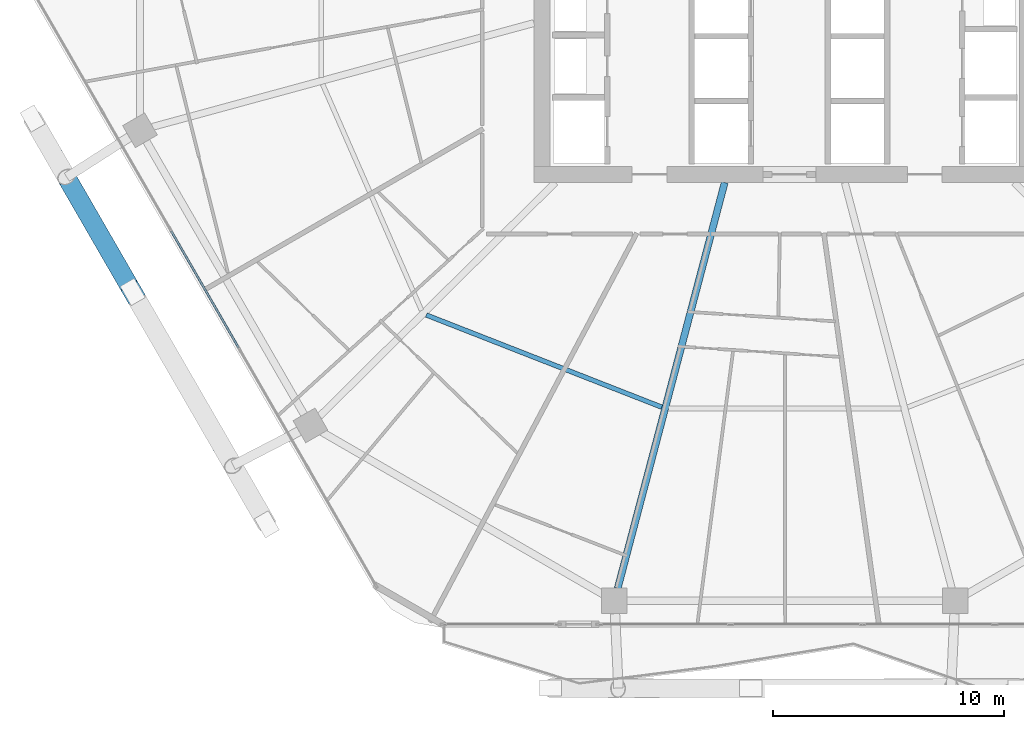
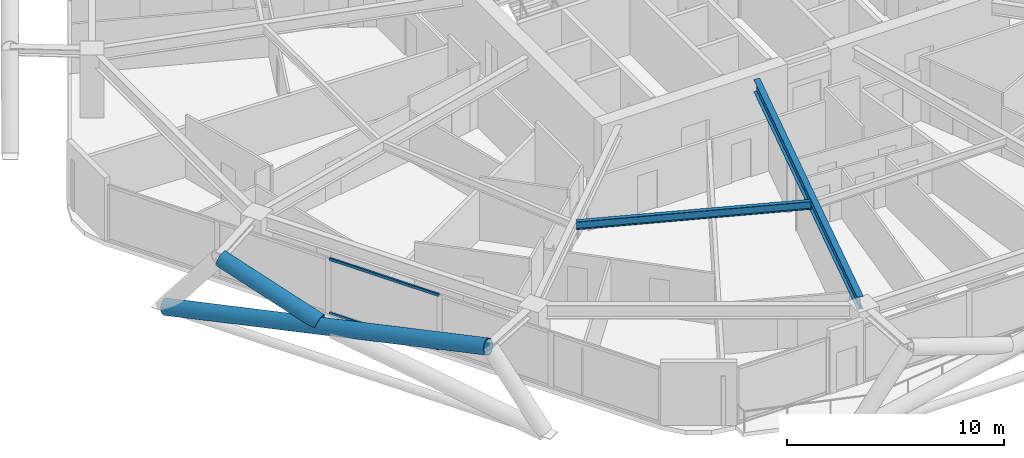
# One storey, part 5 of 35: 4 members, 2 beams, 1 element without a shape of its own.
"""IFC4 building model written with IfcOpenShell, lengths in metres."""

from ifc_helpers import new_model, si_unit, direction, frame, origin, origin_2d, place, context, subcontext, project, spatial, hollow_rectangle, hollow_circle, i_section, extrude, material, material_profile, profile_set, type_object, element, aggregate, save


model = new_model("IFC4")

# Units and contexts
model_context = context("Model", 3, precision=1e-05, world=origin(), true_north=direction((0.0, 1.0)))
body_context = subcontext(model_context, "Body", "Model", "MODEL_VIEW")
ifc_project = project(units=[si_unit("LENGTHUNIT", "METRE"), si_unit("AREAUNIT", "SQUARE_METRE"), si_unit("VOLUMEUNIT", "CUBIC_METRE"), si_unit("PLANEANGLEUNIT", "RADIAN"), si_unit("MASSUNIT", "GRAM", prefix="KILO")], contexts=[model_context])

# Site, building, storey
site_placement = place(None, origin())
site = spatial("IfcSite", under=ifc_project, at=site_placement, CompositionType="ELEMENT")
building_placement = place(site_placement, origin())
building = spatial("IfcBuilding", under=site, at=building_placement, Name="Zuhravey Tower", CompositionType="ELEMENT")
storey_placement = place(building_placement, frame((0.0, 0.0, 138.0)))
storey = spatial("IfcBuildingStorey", under=building, at=storey_placement, Name="L34", CompositionType="ELEMENT", Elevation=138.0)

# Curtain wall, members
ifc_material_1 = material(Name="Thermally broken anodised aluminium", Category="aluminium")
curtain_wall_type = type_object("IfcCurtainWallType", Name="Zone 1-2 Residential Curtain Wall CW3", PredefinedType="NOTDEFINED", material=ifc_material_1)
curtain_wall_placement = place(storey_placement, origin())
curtain_wall = element("IfcCurtainWall", 1, at=curtain_wall_placement, inside=storey, type_object=curtain_wall_type, Name="L34 CW3 CW-L34-F4-1", PredefinedType="NOTDEFINED")
ifc_material_2 = material(Name="Anodised aluminium", Category="aluminium")
ifc_material_profile_1 = material_profile(ifc_material_2, hollow_rectangle(XDim=0.090087890625, YDim=0.14990234375, WallThickness=0.0048828125, at=origin_2d()), Name="ALU-RHS-90x150x5")
ifc_profile_set_1 = profile_set([ifc_material_profile_1], Name="Anodised aluminium")
member_type_1 = type_object("IfcMemberType", Name="Curtain-Wall Transom 90x150", PredefinedType="USERDEFINED", material=ifc_profile_set_1)
member_1_placement = place(storey_placement, frame((12.378662109375, 14.996337890625, 0.044921875), z_axis=(-0.499981042766, 0.866036348472, 0.0), x_axis=(-0.866036348472, -0.499981042766, 0.0)))
member_1 = element("IfcMember", 2, at=member_1_placement, type_object=member_type_1, Name="CW3 transom 3.1", ObjectType="TRANSOM", PredefinedType="USERDEFINED", context=body_context, shape_type="SweptSolid", body=[
    extrude(hollow_rectangle(XDim=0.090087890625, YDim=0.14990234375, WallThickness=0.0048828125, at=origin_2d()), origin(), (0.0, 0.0, 1.0), 5.829833984375),
])
member_2_placement = place(storey_placement, frame((12.378662109375, 14.996337890625, 3.076904296875), z_axis=(-0.499981042766, 0.866036348472, 0.0), x_axis=(-0.866036348472, -0.499981042766, 0.0)))
member_2 = element("IfcMember", 3, at=member_2_placement, type_object=member_type_1, Name="CW3 transom 3.2", ObjectType="TRANSOM", PredefinedType="USERDEFINED", context=body_context, shape_type="SweptSolid", body=[
    extrude(hollow_rectangle(XDim=0.090087890625, YDim=0.14990234375, WallThickness=0.0048828125, at=origin_2d()), origin(), (0.0, 0.0, 1.0), 5.829833984375),
])
aggregate(curtain_wall, [member_1, member_2])

# Members
ifc_material_3 = material(Name="Steel SM460", Category="steel")
ifc_material_profile_2 = material_profile(ifc_material_3, hollow_circle(Radius=0.406494140625, WallThickness=0.035888671875, at=origin_2d()), Name="CHS-812.8x36")
ifc_profile_set_2 = profile_set([ifc_material_profile_2], Name="Steel SM460")
member_type_2 = type_object("IfcMemberType", Name="Exoskeleton Zone 1 Diagrid CHS813x36", PredefinedType="BRACE", material=ifc_profile_set_2)
member_3_placement = place(storey_placement, frame((3.49853515625, 24.857421875, -0.4482421875), z_axis=(0.488388327562, -0.845934815046, 0.214175465901), x_axis=(0.866030885405, 0.499990505435, 0.0)))
element("IfcMember", 4, at=member_3_placement, inside=storey, type_object=member_type_2, Name="L34 Face 4 Diagrid Brace 2", PredefinedType="BRACE", context=body_context, shape_type="SweptSolid", body=[
    extrude(hollow_circle(Radius=0.406494140625, WallThickness=0.035888671875, at=origin_2d()), origin(), (0.0, 0.0, 1.0), 17.595703125),
])
member_4_placement = place(storey_placement, frame((7.607177734375, 17.740966796875, 1.56103515625), z_axis=(-0.474517901024, 0.82190926832, 0.315115718837), x_axis=(-0.866030712881, -0.499990804263, 0.0)))
element("IfcMember", 5, at=member_4_placement, inside=storey, type_object=member_type_2, Name="L34 Face 4 Split Diagrid Brace 3B", PredefinedType="BRACE", context=body_context, shape_type="SweptSolid", body=[
    extrude(hollow_circle(Radius=0.406494140625, WallThickness=0.035888671875, at=origin_2d()), origin(), (0.0, 0.0, 1.0), 5.559814453125),
])

# Beams
ifc_material_4 = material(Name="Steel SM355", Category="steel")
ifc_material_profile_3 = material_profile(ifc_material_4, i_section(OverallWidth=0.300048828125, OverallDepth=0.699951171875, WebThickness=0.012939453125, FlangeThickness=0.02392578125, at=origin_2d()), Name="H-700x300x13x24")
ifc_profile_set_3 = profile_set([ifc_material_profile_3], Name="Steel SM355")
beam_type_1 = type_object("IfcBeamType", Name="Radial Primary Girder H700x300", PredefinedType="BEAM", material=ifc_profile_set_3)
beam_1_placement = place(storey_placement, frame((33.40185546875, 22.14697265625, 3.199951171875), z_axis=(-0.25498755891, -0.966944333869, 0.0), x_axis=(0.966944333869, -0.25498755891, 0.0)))
element("IfcBeam", 6, at=beam_1_placement, inside=storey, type_object=beam_type_1, Name="L34 RG1 BM-L34-RAD-09", PredefinedType="BEAM", context=body_context, shape_type="SweptSolid", body=[
    extrude(i_section(OverallWidth=0.300048828125, OverallDepth=0.699951171875, WebThickness=0.012939453125, FlangeThickness=0.02392578125, at=origin_2d()), origin(), (0.0, 0.0, 1.0), 18.1611328125),
])
ifc_material_profile_4 = material_profile(ifc_material_4, i_section(OverallWidth=0.199951171875, OverallDepth=0.449951171875, WebThickness=0.009033203125, FlangeThickness=0.013916015625, at=origin_2d()), Name="H-450x200x9x14")
ifc_profile_set_4 = profile_set([ifc_material_profile_4], Name="Steel SM355")
beam_type_2 = type_object("IfcBeamType", Name="Secondary Floor Joist H450x200", PredefinedType="JOIST", material=ifc_profile_set_4)
beam_2_placement = place(storey_placement, frame((20.49462890625, 16.418701171875, 3.324951171875), z_axis=(0.931216764731, -0.364465824302, 0.0), x_axis=(0.364465824302, 0.931216764731, 0.0)))
element("IfcBeam", 7, at=beam_2_placement, inside=storey, type_object=beam_type_2, Name="L34 SJ1 BM-L34-SJ-08-1", PredefinedType="JOIST", context=body_context, shape_type="SweptSolid", body=[
    extrude(i_section(OverallWidth=0.199951171875, OverallDepth=0.449951171875, WebThickness=0.009033203125, FlangeThickness=0.013916015625, at=origin_2d()), origin(), (0.0, 0.0, 1.0), 10.939453125),
])

save(model, "model.ifc")
